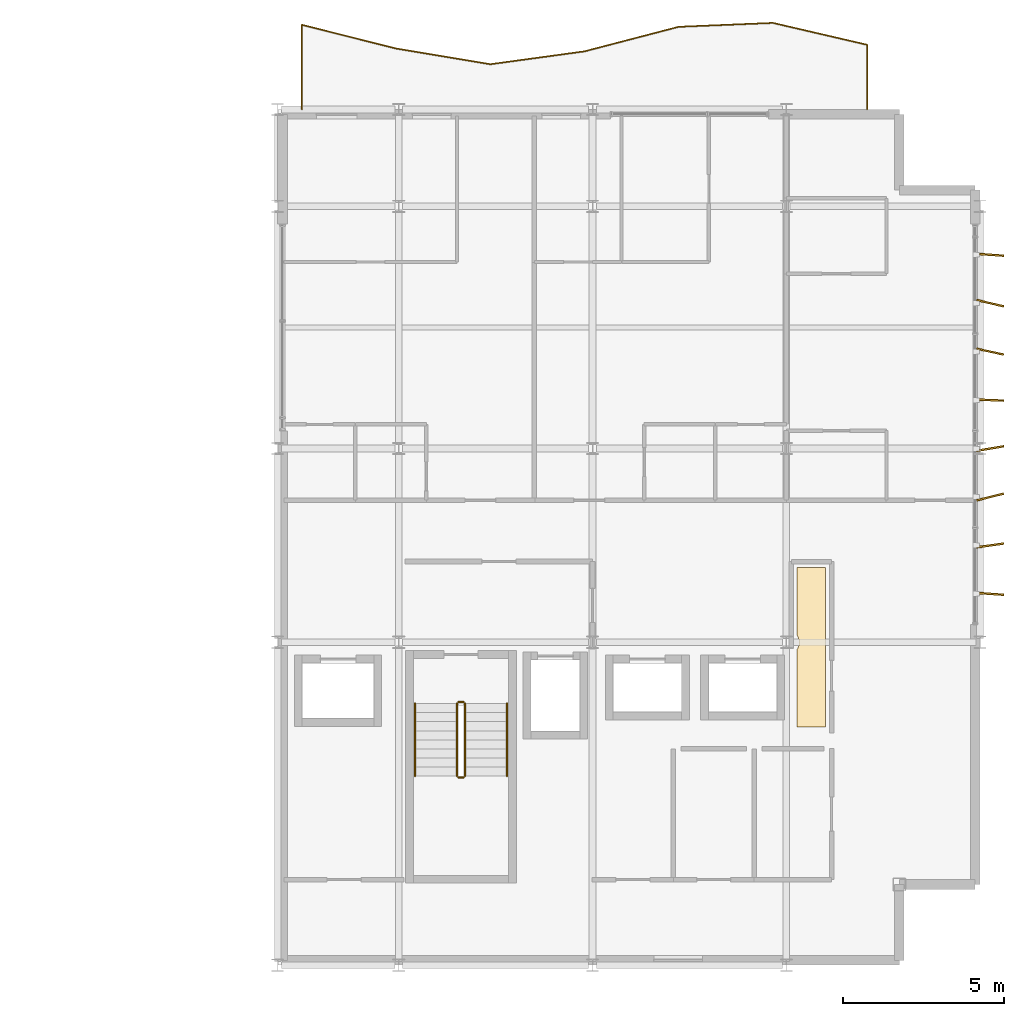
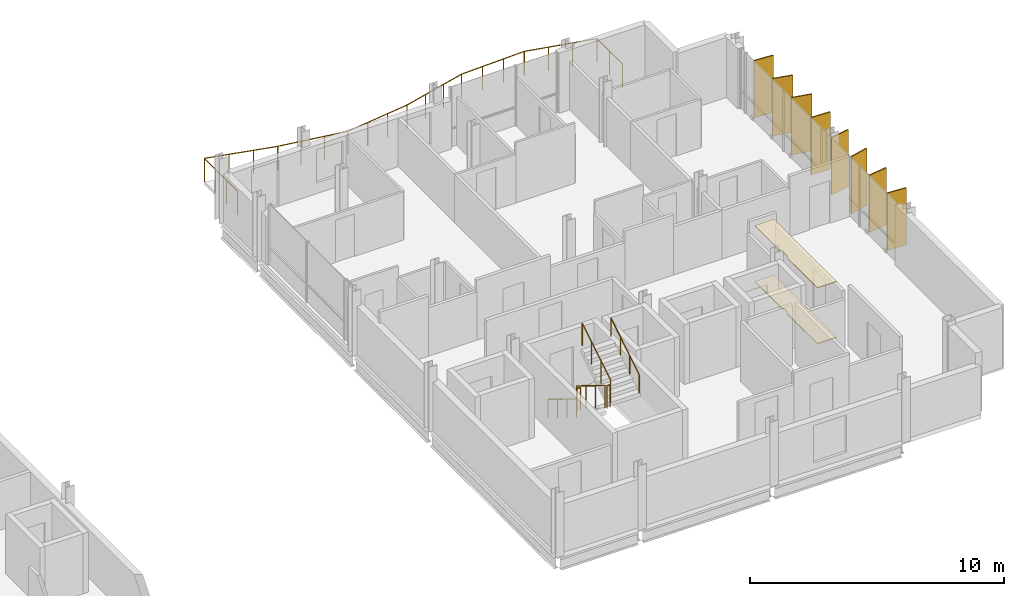
# One storey, part 30 of 30: 8 shading devices, 7 railings, 2 coverings.
"""IFC4 building model written with IfcOpenShell, lengths in metres."""

from ifc_helpers import new_model, si_unit, direction, frame, origin, origin_2d, place, context, subcontext, project, spatial, polyline, rectangle, circle, outline, extrude, material, layer, layer_set, type_object, element, save


model = new_model("IFC4")

# Units and contexts
model_context = context("Model", 3, precision=1e-05, world=origin(), true_north=direction((0.0, 1.0)))
body_context = subcontext(model_context, "Body", "Model", "MODEL_VIEW")
ifc_project = project(units=[si_unit("LENGTHUNIT", "METRE"), si_unit("AREAUNIT", "SQUARE_METRE"), si_unit("VOLUMEUNIT", "CUBIC_METRE"), si_unit("PLANEANGLEUNIT", "RADIAN"), si_unit("MASSUNIT", "GRAM", prefix="KILO")], contexts=[model_context])

# Site, building, storey
site_placement = place(None, origin())
site = spatial("IfcSite", under=ifc_project, at=site_placement, CompositionType="ELEMENT")
building_placement = place(site_placement, origin())
building = spatial("IfcBuilding", under=site, at=building_placement, Name="Brevholm Reach", CompositionType="ELEMENT")
storey_placement = place(building_placement, frame((0.0, 0.0, 204.89990234375)))
storey = spatial("IfcBuildingStorey", under=building, at=storey_placement, Name="L62", CompositionType="ELEMENT", Elevation=204.89990234375)

# Coverings
ifc_material_1 = material(Name="Moisture-Resistant Skimmed Gypsum Plasterboard Ceiling", Category="gypsum")
ifc_layer_1 = layer(ifc_material_1, 0.030029296875)
ifc_layer_set_1 = layer_set([ifc_layer_1], Name="Moisture-Resistant Skimmed Gypsum Plasterboard Ceiling")
covering_type_1 = type_object("IfcCoveringType", Name="COV-CLG-GYP", PredefinedType="CEILING", material=ifc_layer_set_1)
covering_1_placement = place(storey_placement, frame((0.0, 0.0, 2.690185546875)))
element("IfcCovering", 1, at=covering_1_placement, inside=storey, type_object=covering_type_1, Name="L62 Suspended Ceiling L62-21", PredefinedType="CEILING", context=body_context, shape_type="SweptSolid", body=[
    extrude(outline(polyline([(54.330078125, 9.7626953125), (54.33056640625, 9.764892578125), (54.33251953125, 9.777587890625), (54.33251953125, 9.77783203125), (54.352783203125, 9.811279296875), (54.36962890625, 9.846923828125), (54.3828125, 9.8837890625), (54.392333984375, 9.922119140625), (54.398193359375, 9.960693359375), (54.39990234375, 10.0), (54.398193359375, 10.039306640625), (54.392333984375, 10.077880859375), (54.3828125, 10.1162109375), (54.36962890625, 10.153076171875), (54.352783203125, 10.188720703125), (54.333984375, 10.219970703125), (54.333984375, 12.320068359375), (55.216064453125, 12.320068359375), (55.216064453125, 7.3798828125), (54.330078125, 7.3798828125), (54.330078125, 9.7626953125)])), origin(), (0.0, 0.0, 1.0), 0.030029296875),
])
ifc_material_2 = material(Name="Honed Portland-Aggregate Resin Terrazzo Flooring", Category="concrete")
ifc_layer_2 = layer(ifc_material_2, 0.031982421875)
ifc_layer_set_2 = layer_set([ifc_layer_2], Name="Honed Portland-Aggregate Resin Terrazzo Flooring")
covering_type_2 = type_object("IfcCoveringType", Name="COV-FLR-TRZ", PredefinedType="FLOORING", material=ifc_layer_set_2)
covering_2_placement = place(storey_placement, origin())
element("IfcCovering", 2, at=covering_2_placement, inside=storey, type_object=covering_type_2, Name="L62 Floor Finish L62-21", PredefinedType="FLOORING", context=body_context, shape_type="SweptSolid", body=[
    extrude(outline(polyline([(54.330078125, 9.7626953125), (54.33056640625, 9.764892578125), (54.33251953125, 9.777587890625), (54.33251953125, 9.77783203125), (54.352783203125, 9.811279296875), (54.36962890625, 9.846923828125), (54.3828125, 9.8837890625), (54.392333984375, 9.922119140625), (54.398193359375, 9.960693359375), (54.39990234375, 10.0), (54.398193359375, 10.039306640625), (54.392333984375, 10.077880859375), (54.3828125, 10.1162109375), (54.36962890625, 10.153076171875), (54.352783203125, 10.188720703125), (54.333984375, 10.219970703125), (54.333984375, 12.320068359375), (55.216064453125, 12.320068359375), (55.216064453125, 7.3798828125), (54.330078125, 7.3798828125), (54.330078125, 9.7626953125)])), origin(), (0.0, 0.0, 1.0), 0.031982421875),
])

# Railings
ifc_material_3 = material(Name="Brushed Stainless Steel EN 1.4401 and Laminated Glass", Category="steel")
railing_type_1 = type_object("IfcRailingType", Name="RAL-BALC-1150", PredefinedType="BALUSTRADE", material=ifc_material_3)
railing_1_placement = place(storey_placement, frame((56.5, 26.5, 0.0)))
element("IfcRailing", 3, at=railing_1_placement, inside=storey, type_object=railing_type_1, Name="L62 Guard Balustrade RAL-L62-BAL-NE", PredefinedType="BALUSTRADE", context=body_context, shape_type="SweptSolid", body=[
    extrude(circle(Radius=0.02392578125, at=origin_2d()), frame((0.0, 0.0, 1.1259765625), z_axis=(0.0, 1.0, 0.0), x_axis=(-1.0, 0.0, 0.0)), (0.0, 0.0, 1.0), 2.00439453125),
    extrude(circle(Radius=0.02392578125, at=origin_2d()), frame((0.0, 2.00439453125, 1.1259765625), z_axis=(-0.974086615793, 0.226175296912, 0.0), x_axis=(-0.226175296912, -0.974086615793, 0.0)), (0.0, 0.0, 1.0), 2.994384765625),
    extrude(circle(Radius=0.02392578125, at=origin_2d()), frame((-2.916748046875, 2.681640625, 1.1259765625), z_axis=(-0.999139150441, -0.041484431493, 0.0), x_axis=(0.041484431493, -0.999139150441, 0.0)), (0.0, 0.0, 1.0), 2.9189453125),
    extrude(circle(Radius=0.02392578125, at=origin_2d()), frame((-5.833251953125, 2.560546875, 1.1259765625), z_axis=(-0.967688627029, -0.252148212601, 0.0), x_axis=(0.252148212601, -0.967688627029, 0.0)), (0.0, 0.0, 1.0), 3.01416015625),
    extrude(circle(Radius=0.02392578125, at=origin_2d()), frame((-8.75, 1.800537109375, 1.1259765625), z_axis=(-0.990776091279, -0.135509176626, 0.0), x_axis=(0.135509176626, -0.990776091279, 0.0)), (0.0, 0.0, 1.0), 2.94384765625),
    extrude(circle(Radius=0.02392578125, at=origin_2d()), frame((-11.666748046875, 1.401611328125, 1.1259765625), z_axis=(-0.986326897089, 0.164800643445, 0.0), x_axis=(-0.164800643445, -0.986326897089, 0.0)), (0.0, 0.0, 1.0), 2.95703125),
    extrude(circle(Radius=0.02392578125, at=origin_2d()), frame((-14.583251953125, 1.888916015625, 1.1259765625), z_axis=(-0.969908046993, 0.243471518618, 0.0), x_axis=(-0.243471518618, -0.969908046993, 0.0)), (0.0, 0.0, 1.0), 3.00732421875),
    extrude(circle(Radius=0.02392578125, at=origin_2d()), frame((-17.5, 2.62109375, 1.1259765625), z_axis=(0.0, -1.0, 0.0), x_axis=(1.0, 0.0, 0.0)), (0.0, 0.0, 1.0), 2.62109375),
    extrude(circle(Radius=0.02099609375, at=origin_2d()), origin(), (0.0, 0.0, 1.0), 1.101806640625),
    extrude(circle(Radius=0.02099609375, at=origin_2d()), frame((0.0, 1.002197265625, 0.0)), (0.0, 0.0, 1.0), 1.101806640625),
    extrude(circle(Radius=0.02099609375, at=origin_2d()), frame((0.0, 2.00439453125, 0.0)), (0.0, 0.0, 1.0), 1.101806640625),
    extrude(circle(Radius=0.02099609375, at=origin_2d()), frame((-0.97216796875, 2.230224609375, 0.0)), (0.0, 0.0, 1.0), 1.101806640625),
    extrude(circle(Radius=0.02099609375, at=origin_2d()), frame((-1.944580078125, 2.455810546875, 0.0)), (0.0, 0.0, 1.0), 1.101806640625),
    extrude(circle(Radius=0.02099609375, at=origin_2d()), frame((-2.916748046875, 2.681640625, 0.0)), (0.0, 0.0, 1.0), 1.101806640625),
    extrude(circle(Radius=0.02099609375, at=origin_2d()), frame((-3.888916015625, 2.641357421875, 0.0)), (0.0, 0.0, 1.0), 1.101806640625),
    extrude(circle(Radius=0.02099609375, at=origin_2d()), frame((-4.861083984375, 2.600830078125, 0.0)), (0.0, 0.0, 1.0), 1.101806640625),
    extrude(circle(Radius=0.02099609375, at=origin_2d()), frame((-5.833251953125, 2.560546875, 0.0)), (0.0, 0.0, 1.0), 1.101806640625),
    extrude(circle(Radius=0.02099609375, at=origin_2d()), frame((-6.805419921875, 2.30712890625, 0.0)), (0.0, 0.0, 1.0), 1.101806640625),
    extrude(circle(Radius=0.02099609375, at=origin_2d()), frame((-7.77783203125, 2.053955078125, 0.0)), (0.0, 0.0, 1.0), 1.101806640625),
    extrude(circle(Radius=0.02099609375, at=origin_2d()), frame((-8.75, 1.800537109375, 0.0)), (0.0, 0.0, 1.0), 1.101806640625),
    extrude(circle(Radius=0.02099609375, at=origin_2d()), frame((-9.72216796875, 1.66748046875, 0.0)), (0.0, 0.0, 1.0), 1.101806640625),
    extrude(circle(Radius=0.02099609375, at=origin_2d()), frame((-10.694580078125, 1.53466796875, 0.0)), (0.0, 0.0, 1.0), 1.101806640625),
    extrude(circle(Radius=0.02099609375, at=origin_2d()), frame((-11.666748046875, 1.401611328125, 0.0)), (0.0, 0.0, 1.0), 1.101806640625),
    extrude(circle(Radius=0.02099609375, at=origin_2d()), frame((-12.638916015625, 1.56396484375, 0.0)), (0.0, 0.0, 1.0), 1.101806640625),
    extrude(circle(Radius=0.02099609375, at=origin_2d()), frame((-13.611083984375, 1.7265625, 0.0)), (0.0, 0.0, 1.0), 1.101806640625),
    extrude(circle(Radius=0.02099609375, at=origin_2d()), frame((-14.583251953125, 1.888916015625, 0.0)), (0.0, 0.0, 1.0), 1.101806640625),
    extrude(circle(Radius=0.02099609375, at=origin_2d()), frame((-15.555419921875, 2.133056640625, 0.0)), (0.0, 0.0, 1.0), 1.101806640625),
    extrude(circle(Radius=0.02099609375, at=origin_2d()), frame((-16.52783203125, 2.376953125, 0.0)), (0.0, 0.0, 1.0), 1.101806640625),
    extrude(circle(Radius=0.02099609375, at=origin_2d()), frame((-17.5, 2.62109375, 0.0)), (0.0, 0.0, 1.0), 1.101806640625),
    extrude(circle(Radius=0.02099609375, at=origin_2d()), frame((-17.5, 1.747314453125, 0.0)), (0.0, 0.0, 1.0), 1.101806640625),
    extrude(circle(Radius=0.02099609375, at=origin_2d()), frame((-17.5, 0.873779296875, 0.0)), (0.0, 0.0, 1.0), 1.101806640625),
    extrude(circle(Radius=0.02099609375, at=origin_2d()), frame((-17.5, 0.0, 0.0)), (0.0, 0.0, 1.0), 1.101806640625),
])
ifc_material_4 = material(Name="Brushed Stainless Steel EN 1.4401 Continuous Handrail", Category="steel")
railing_type_2 = type_object("IfcRailingType", Name="RAL-HND-950", PredefinedType="HANDRAIL", material=ifc_material_4)
railing_2_placement = place(storey_placement, frame((42.5, 8.10009765625, 0.17236328125)))
element("IfcRailing", 4, at=railing_2_placement, inside=storey, type_object=railing_type_2, Name="L62 ST-2 stair handrail 1", PredefinedType="HANDRAIL", context=body_context, shape_type="SweptSolid", body=[
    extrude(circle(Radius=0.02392578125, at=origin_2d()), frame((0.0, 0.0, 0.8857421875), z_axis=(0.0, -0.85178898068, 0.523885037382), x_axis=(1.0, 0.0, 0.0)), (0.0, 0.0, 1.0), 2.629638671875),
    extrude(circle(Radius=0.02099609375, at=origin_2d()), origin(), (0.0, 0.0, 1.0), 0.86181640625),
    extrude(circle(Radius=0.02099609375, at=origin_2d()), frame((0.0, -0.74658203125, 0.459228515625)), (0.0, 0.0, 1.0), 0.86181640625),
    extrude(circle(Radius=0.02099609375, at=origin_2d()), frame((0.0, -1.493408203125, 0.91845703125)), (0.0, 0.0, 1.0), 0.86181640625),
    extrude(circle(Radius=0.02099609375, at=origin_2d()), frame((0.0, -2.239990234375, 1.377685546875)), (0.0, 0.0, 1.0), 0.86181640625),
])
railing_3_placement = place(storey_placement, frame((45.35009765625, 5.860107421875, 1.722412109375)))
element("IfcRailing", 5, at=railing_3_placement, inside=storey, type_object=railing_type_2, Name="L62 ST-2 stair handrail 2", PredefinedType="HANDRAIL", context=body_context, shape_type="SweptSolid", body=[
    extrude(circle(Radius=0.02392578125, at=origin_2d()), frame((0.0, 0.0, 0.8857421875), z_axis=(0.0, 0.85178898068, 0.523885037382), x_axis=(-1.0, 0.0, 0.0)), (0.0, 0.0, 1.0), 2.629638671875),
    extrude(circle(Radius=0.02099609375, at=origin_2d()), origin(), (0.0, 0.0, 1.0), 0.86181640625),
    extrude(circle(Radius=0.02099609375, at=origin_2d()), frame((0.0, 0.74658203125, 0.459228515625)), (0.0, 0.0, 1.0), 0.86181640625),
    extrude(circle(Radius=0.02099609375, at=origin_2d()), frame((0.0, 1.493408203125, 0.91845703125)), (0.0, 0.0, 1.0), 0.86181640625),
    extrude(circle(Radius=0.02099609375, at=origin_2d()), frame((0.0, 2.239990234375, 1.377685546875)), (0.0, 0.0, 1.0), 0.86181640625),
])
ifc_material_5 = material(Name="Painted Tubular Galvanised Steel S275JR Stair Guard", Category="steel")
railing_type_3 = type_object("IfcRailingType", Name="RAL-STG-1120", PredefinedType="BALUSTRADE", material=ifc_material_5)
railing_4_placement = place(storey_placement, frame((43.800048828125, 8.10009765625, 0.17236328125)))
element("IfcRailing", 6, at=railing_4_placement, inside=storey, type_object=railing_type_3, Name="L62 ST-2 stair guard 1", PredefinedType="BALUSTRADE", context=body_context, shape_type="SweptSolid", body=[
    extrude(circle(Radius=0.02392578125, at=origin_2d()), frame((0.0, 0.0, 1.076171875), z_axis=(0.0, -0.85178898068, 0.523885037382), x_axis=(1.0, 0.0, 0.0)), (0.0, 0.0, 1.0), 2.629638671875),
    extrude(circle(Radius=0.02099609375, at=origin_2d()), origin(), (0.0, 0.0, 1.0), 1.052001953125),
    extrude(circle(Radius=0.02099609375, at=origin_2d()), frame((0.0, -0.74658203125, 0.459228515625)), (0.0, 0.0, 1.0), 1.052001953125),
    extrude(circle(Radius=0.02099609375, at=origin_2d()), frame((0.0, -1.493408203125, 0.91845703125)), (0.0, 0.0, 1.0), 1.052001953125),
    extrude(circle(Radius=0.02099609375, at=origin_2d()), frame((0.0, -2.239990234375, 1.377685546875)), (0.0, 0.0, 1.0), 1.052001953125),
])
railing_5_placement = place(storey_placement, frame((43.85009765625, 5.81005859375, 1.550048828125)))
element("IfcRailing", 7, at=railing_5_placement, inside=storey, type_object=railing_type_3, Name="L62 ST-2 stair guard 2", PredefinedType="BALUSTRADE", context=body_context, shape_type="SweptSolid", body=[
    extrude(circle(Radius=0.02392578125, at=origin_2d()), frame((0.0, 0.0, 1.076171875), z_axis=(1.0, 0.0, 0.0), x_axis=(0.0, 1.0, 0.0)), (0.0, 0.0, 1.0), 0.14990234375),
    extrude(circle(Radius=0.02099609375, at=origin_2d()), origin(), (0.0, 0.0, 1.0), 1.052001953125),
    extrude(circle(Radius=0.02099609375, at=origin_2d()), frame((0.14990234375, 0.0, 0.0)), (0.0, 0.0, 1.0), 1.052001953125),
])
railing_6_placement = place(storey_placement, frame((44.050048828125, 5.860107421875, 1.722412109375)))
element("IfcRailing", 8, at=railing_6_placement, inside=storey, type_object=railing_type_3, Name="L62 ST-2 stair guard 3", PredefinedType="BALUSTRADE", context=body_context, shape_type="SweptSolid", body=[
    extrude(circle(Radius=0.02392578125, at=origin_2d()), frame((0.0, 0.0, 1.076171875), z_axis=(0.0, 0.85178898068, 0.523885037382), x_axis=(-1.0, 0.0, 0.0)), (0.0, 0.0, 1.0), 2.629638671875),
    extrude(circle(Radius=0.02099609375, at=origin_2d()), origin(), (0.0, 0.0, 1.0), 1.052001953125),
    extrude(circle(Radius=0.02099609375, at=origin_2d()), frame((0.0, 0.74658203125, 0.459228515625)), (0.0, 0.0, 1.0), 1.052001953125),
    extrude(circle(Radius=0.02099609375, at=origin_2d()), frame((0.0, 1.493408203125, 0.91845703125)), (0.0, 0.0, 1.0), 1.052001953125),
    extrude(circle(Radius=0.02099609375, at=origin_2d()), frame((0.0, 2.239990234375, 1.377685546875)), (0.0, 0.0, 1.0), 1.052001953125),
])
railing_7_placement = place(storey_placement, frame((43.85009765625, 8.14990234375, 0.0)))
element("IfcRailing", 9, at=railing_7_placement, inside=storey, type_object=railing_type_3, Name="L62 ST-2 stair guard 4", PredefinedType="BALUSTRADE", context=body_context, shape_type="SweptSolid", body=[
    extrude(circle(Radius=0.02392578125, at=origin_2d()), frame((0.0, 0.0, 1.076171875), z_axis=(1.0, 0.0, 0.0), x_axis=(0.0, 1.0, 0.0)), (0.0, 0.0, 1.0), 0.14990234375),
    extrude(circle(Radius=0.02099609375, at=origin_2d()), origin(), (0.0, 0.0, 1.0), 1.052001953125),
    extrude(circle(Radius=0.02099609375, at=origin_2d()), frame((0.14990234375, 0.0, 0.0)), (0.0, 0.0, 1.0), 1.052001953125),
])

# Shading devices
ifc_material_6 = material(Name="Perforated Champagne-Bronze Anodised Aluminium", Category="aluminium")
ifc_layer_3 = layer(ifc_material_6, 0.054931640625)
ifc_layer_set_3 = layer_set([ifc_layer_3], Name="Perforated Champagne-Bronze Anodised Aluminium")
shading_device_type = type_object("IfcShadingDeviceType", Name="SHD-FIN-850", PredefinedType="USERDEFINED", material=ifc_layer_set_3)
for number, where, z_axis, x_axis, name in (
    (10, (60.31494140625, 11.5, 0.070068359375), (0.0, 0.0, 1.0), (0.997540863288, -0.070087274669, 0.0), "L62 Perforated Solar Screen Fin 1"),
    (11, (60.31494140625, 13.0, 0.070068359375), (0.0, 0.0, 1.0), (0.990319011832, 0.138810139416, 0.0), "L62 Perforated Solar Screen Fin 2"),
    (12, (60.31494140625, 14.5, 0.070068359375), (0.0, 0.0, 1.0), (0.970426476591, 0.241396879706, 0.0), "L62 Perforated Solar Screen Fin 3"),
    (13, (60.31494140625, 16.0, 0.070068359375), (0.0, 0.0, 1.0), (0.986460760609, 0.163997462722, 0.0), "L62 Perforated Solar Screen Fin 4"),
    (14, (60.31494140625, 17.5, 0.070068359375), (0.0, 0.0, 1.0), (0.999264255789, -0.038352928208, 0.0), "L62 Perforated Solar Screen Fin 5"),
    (15, (60.31494140625, 19.0, 0.070068359375), (0.0, 0.0, 1.0), (0.977489601007, -0.210983601077, 0.0), "L62 Perforated Solar Screen Fin 6"),
    (16, (60.31494140625, 20.5, 0.070068359375), (0.0, 0.0, 1.0), (0.974405387993, -0.224797997877, 0.0), "L62 Perforated Solar Screen Fin 7"),
    (17, (60.31494140625, 22.0, 0.070068359375), (0.0, 0.0, 1.0), (0.997540863288, -0.070087274669, 0.0), "L62 Perforated Solar Screen Fin 8"),
):
    element("IfcShadingDevice", number, at=place(storey_placement, frame(where, z_axis=z_axis, x_axis=x_axis)), inside=storey, type_object=shading_device_type, Name=name, ObjectType="SCREEN", PredefinedType="USERDEFINED", context=body_context, shape_type="SweptSolid", body=[
        extrude(rectangle(XDim=0.85009765625, YDim=0.054931640625, at=origin_2d()), origin(), (0.0, 0.0, 1.0), 2.75),
    ])

save(model, "model.ifc")
